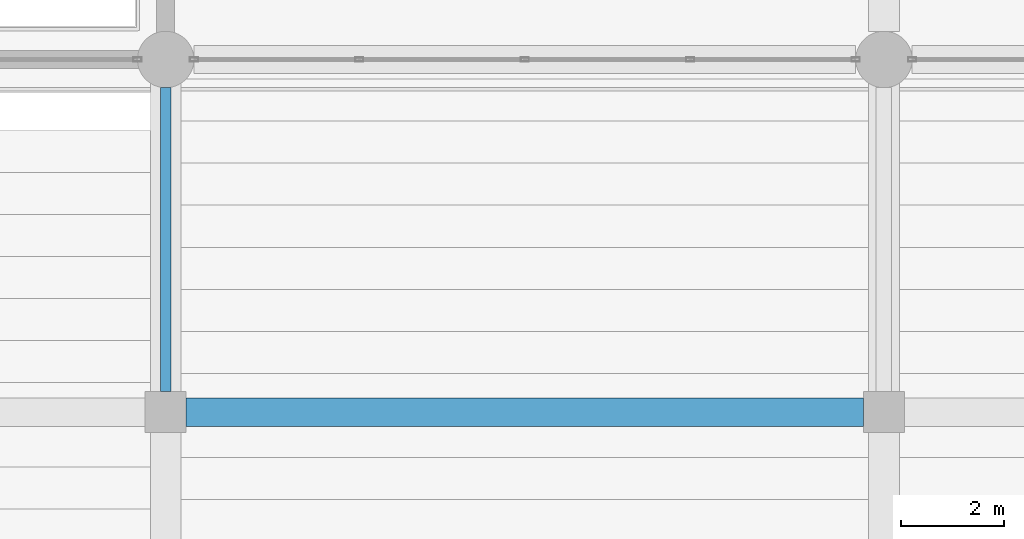
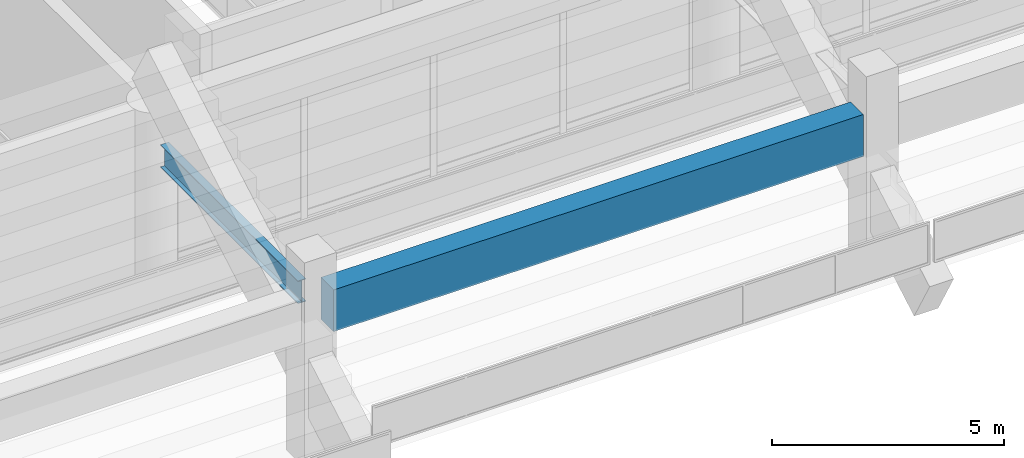
# One storey, part 48 of 90: 2 beams.
"""IFC4 building model written with IfcOpenShell, lengths in metres."""

from ifc_helpers import new_model, si_unit, direction, frame, origin, origin_2d, place, context, subcontext, project, spatial, rectangle, i_section, extrude, material, material_profile, profile_set, type_object, element, save


model = new_model("IFC4")

# Units and contexts
model_context = context("Model", 3, precision=1e-05, world=origin(), true_north=direction((0.0, 1.0)))
body_context = subcontext(model_context, "Body", "Model", "MODEL_VIEW")
ifc_project = project(units=[si_unit("LENGTHUNIT", "METRE"), si_unit("AREAUNIT", "SQUARE_METRE"), si_unit("VOLUMEUNIT", "CUBIC_METRE"), si_unit("PLANEANGLEUNIT", "RADIAN"), si_unit("MASSUNIT", "GRAM", prefix="KILO")], contexts=[model_context])

# Site, building, storey
site_placement = place(None, origin())
site = spatial("IfcSite", under=ifc_project, at=site_placement, CompositionType="ELEMENT")
building_placement = place(site_placement, origin())
building = spatial("IfcBuilding", under=site, at=building_placement, Name="Linyun Crest Stadium", CompositionType="ELEMENT")
storey_placement = place(building_placement, frame((0.0, 0.0, 21.0)))
storey = spatial("IfcBuildingStorey", under=building, at=storey_placement, Name="L05", CompositionType="ELEMENT", Elevation=21.0)

# Beams
ifc_material_1 = material(Name="Steel Q355C", Category="steel")
ifc_material_profile_1 = material_profile(ifc_material_1, i_section(OverallWidth=0.199951171875, OverallDepth=0.60009765625, WebThickness=0.010986328125, FlangeThickness=0.01708984375, at=origin_2d()), Name="HN 600x200")
ifc_profile_set_1 = profile_set([ifc_material_profile_1], Name="Steel Q355C")
beam_type_1 = type_object("IfcBeamType", Name="B11", PredefinedType="BEAM", material=ifc_profile_set_1)
beam_1_placement = place(storey_placement, frame((-14.0, 85.02490234375, 4.034912109375), z_axis=(0.0, 1.0, 0.0), x_axis=(-1.0, 0.0, 0.0)))
element("IfcBeam", 1, at=beam_1_placement, inside=storey, type_object=beam_type_1, Name="Frame beam B11 L05 829", PredefinedType="BEAM", context=body_context, shape_type="SweptSolid", body=[
    extrude(i_section(OverallWidth=0.199951171875, OverallDepth=0.60009765625, WebThickness=0.010986328125, FlangeThickness=0.01708984375, at=origin_2d()), origin(), (0.0, 0.0, 1.0), 5.925048828125),
])
ifc_material_2 = material(Name="Concrete C50", Category="concrete")
ifc_material_profile_2 = material_profile(ifc_material_2, rectangle(XDim=0.550048828125, YDim=1.10009765625, at=origin_2d()), Name="RCB 1100x550")
ifc_profile_set_2 = profile_set([ifc_material_profile_2], Name="Concrete C50")
beam_type_2 = type_object("IfcBeamType", Name="TB01", PredefinedType="USERDEFINED", material=ifc_profile_set_2)
beam_2_placement = place(storey_placement, frame((-13.60009765625, 84.625, 3.784912109375), z_axis=(1.0, 0.0, 0.0), x_axis=(0.0, 1.0, 0.0)))
element("IfcBeam", 2, at=beam_2_placement, inside=storey, type_object=beam_type_2, Name="Frame beam TB01 L05 821", ObjectType="GIRDER", PredefinedType="USERDEFINED", context=body_context, shape_type="SweptSolid", body=[
    extrude(rectangle(XDim=0.550048828125, YDim=1.10009765625, at=origin_2d()), origin(), (0.0, 0.0, 1.0), 13.2001953125),
])

save(model, "model.ifc")
